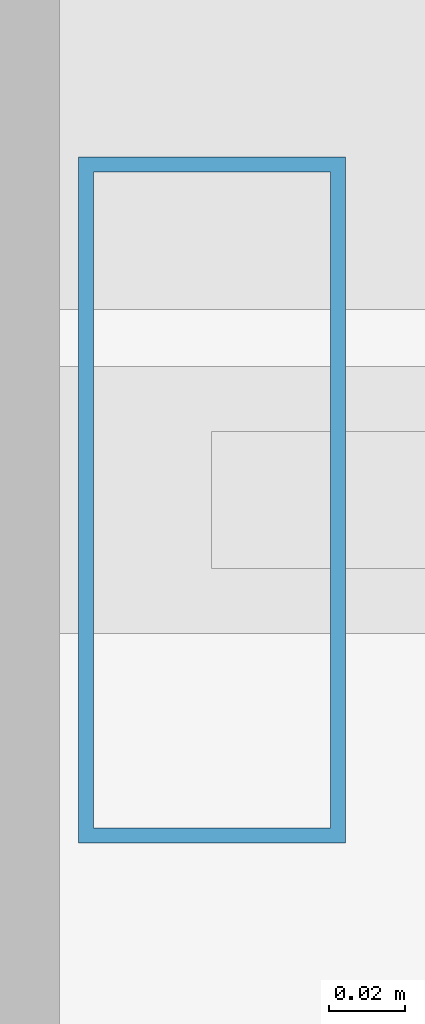
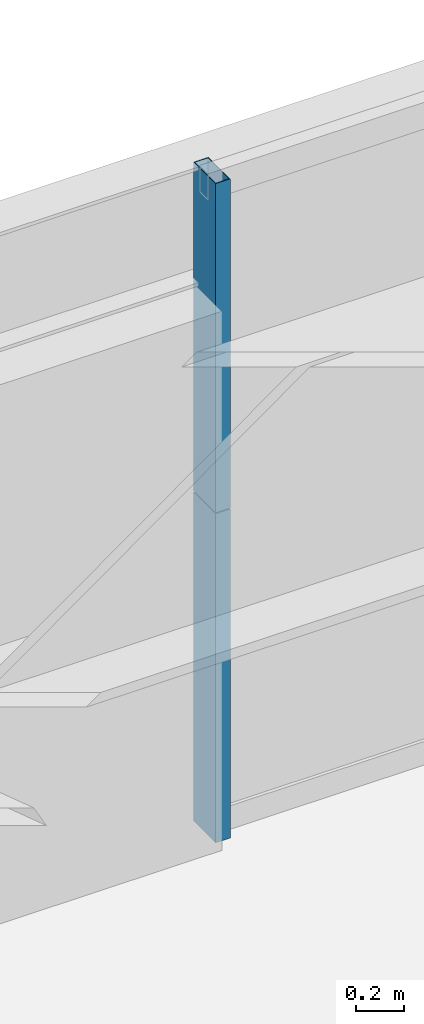
# One storey, part 26 of 44: 2 members, 1 element without a shape of its own.
"""IFC4 building model written with IfcOpenShell, lengths in metres."""

from ifc_helpers import new_model, si_unit, direction, frame, origin, origin_2d, place, context, subcontext, project, spatial, hollow_rectangle, extrude, source, transform, mapped, material, layer, layer_set, material_profile, profile_set, type_object, element, aggregate, save


model = new_model("IFC4")

# Units and contexts
model_context = context("Model", 3, precision=1e-05, world=origin(), true_north=direction((0.0, 1.0)))
body_context = subcontext(model_context, "Body", "Model", "MODEL_VIEW")
ifc_project = project(units=[si_unit("LENGTHUNIT", "METRE"), si_unit("AREAUNIT", "SQUARE_METRE"), si_unit("VOLUMEUNIT", "CUBIC_METRE"), si_unit("PLANEANGLEUNIT", "RADIAN"), si_unit("MASSUNIT", "GRAM", prefix="KILO"), si_unit("THERMODYNAMICTEMPERATUREUNIT", "KELVIN"), si_unit("POWERUNIT", "WATT")], contexts=[model_context])

# Site, building, storey
site_placement = place(None, origin())
site = spatial("IfcSite", under=ifc_project, at=site_placement, CompositionType="ELEMENT")
building_placement = place(site_placement, origin())
building = spatial("IfcBuilding", under=site, at=building_placement, Name="Yuzanri Waterfront Tower", CompositionType="ELEMENT")
storey_placement = place(building_placement, frame((0.0, 0.0, 82.0)))
storey = spatial("IfcBuildingStorey", under=building, at=storey_placement, Name="L21", CompositionType="ELEMENT", Elevation=82.0)

# Curtain wall, members
ifc_material_1 = material(Name="Anodized Architectural Bronze", Category="metal")
ifc_layer = layer(ifc_material_1, 0.159912109375)
ifc_layer_set = layer_set([ifc_layer], Name="Anodized Architectural Bronze")
curtain_wall_type = type_object("IfcCurtainWallType", Name="Anodized Bronze Hotel Lower-Tier Recessed Unitized Curtain Wall 8100", PredefinedType="NOTDEFINED", material=ifc_layer_set)
curtain_wall_placement = place(storey_placement, origin())
curtain_wall = element("IfcCurtainWall", 1, at=curtain_wall_placement, inside=storey, type_object=curtain_wall_type, Name="L21 Curtain Wall CW-L21-NL", PredefinedType="NOTDEFINED")
ifc_material_2 = material(Name="Anodized Architectural Bronze", Category="metal")
ifc_material_profile = material_profile(ifc_material_2, hollow_rectangle(XDim=0.070068359375, YDim=0.179931640625, WallThickness=0.00390625, at=origin_2d()), Name="CWM 70x180")
ifc_profile_set = profile_set([ifc_material_profile], Name="Anodized Architectural Bronze")
member_type = type_object("IfcMemberType", Name="Anodized Bronze Standard Curtain-Wall Mullion 70x180", PredefinedType="MULLION", material=ifc_profile_set)
shared_shape = source(origin(), body_context, "Body", "SweptSolid", [
    extrude(hollow_rectangle(XDim=0.070068359375, YDim=0.179931640625, WallThickness=0.00390625, at=origin_2d()), origin(), (0.0, 0.0, 1.0), 1.657958984375),
])
member_1_placement = place(storey_placement, frame((19.2900390625, 50.75, 0.0), z_axis=(0.0, 0.0, 1.0), x_axis=(1.0, 0.0, 0.0)))
member_1 = element("IfcMember", 2, at=member_1_placement, type_object=member_type, Name="CW-L21-NL Lower Mullion 00", PredefinedType="MULLION", context=body_context, shape_type="MappedRepresentation", body=[
    mapped(shared_shape, transform((0.0, 0.0, 0.0), scale=1.0)),
])
member_2_placement = place(storey_placement, frame((19.2900390625, 50.75, 1.662109375), z_axis=(0.0, 0.0, 1.0), x_axis=(1.0, 0.0, 0.0)))
member_2 = element("IfcMember", 3, at=member_2_placement, type_object=member_type, Name="CW-L21-NL Upper Mullion 00", PredefinedType="MULLION", context=body_context, shape_type="MappedRepresentation", body=[
    mapped(shared_shape, transform((0.0, 0.0, 0.0), scale=1.0)),
])
aggregate(curtain_wall, [member_1, member_2])

save(model, "model.ifc")
